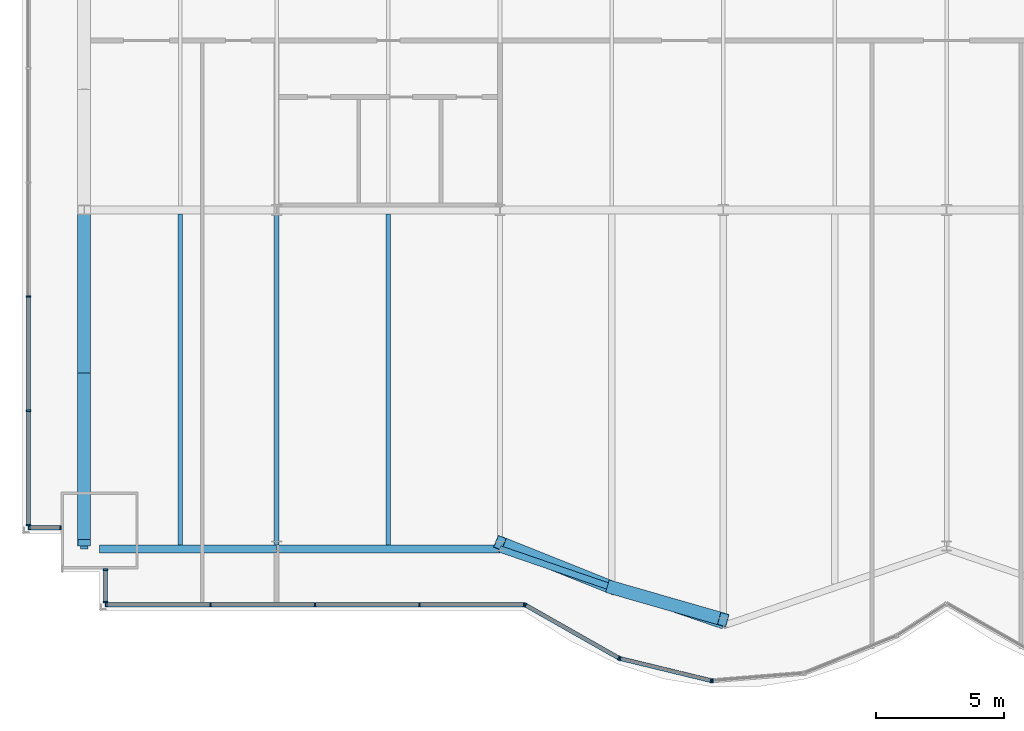
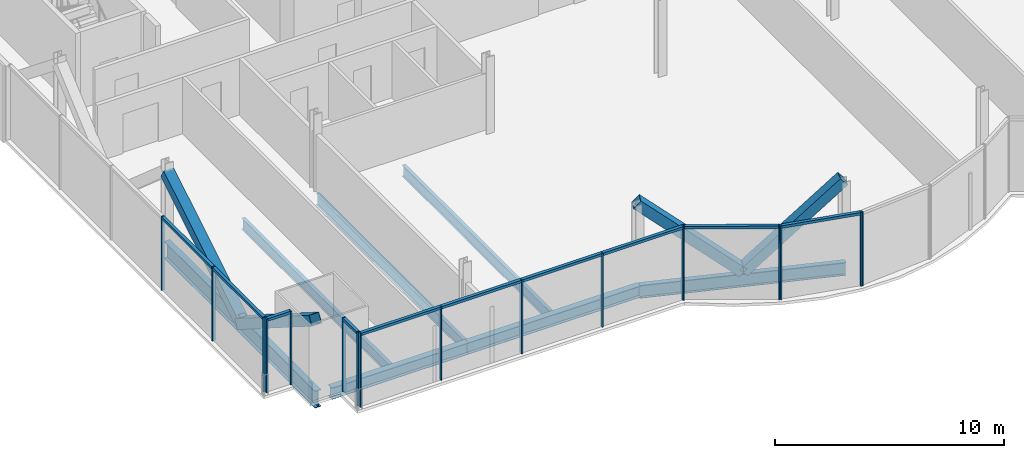
# One storey, part 4 of 21: 31 members, 7 beams, 5 elements without a shape of their own.
"""IFC4 building model written with IfcOpenShell, lengths in metres."""

from ifc_helpers import new_model, si_unit, direction, frame, origin, origin_2d, place, context, subcontext, project, spatial, rectangle, hollow_rectangle, i_section, extrude, material, material_profile, profile_set, type_object, element, aggregate, save


model = new_model("IFC4")

# Units and contexts
model_context = context("Model", 3, precision=1e-05, world=origin(), true_north=direction((0.0, 1.0)))
body_context = subcontext(model_context, "Body", "Model", "MODEL_VIEW")
ifc_project = project(units=[si_unit("LENGTHUNIT", "METRE"), si_unit("AREAUNIT", "SQUARE_METRE"), si_unit("VOLUMEUNIT", "CUBIC_METRE"), si_unit("PLANEANGLEUNIT", "RADIAN"), si_unit("MASSUNIT", "GRAM", prefix="KILO")], contexts=[model_context])

# Site, building, storey
site_placement = place(None, origin())
site = spatial("IfcSite", under=ifc_project, at=site_placement, CompositionType="ELEMENT")
building_placement = place(site_placement, origin())
building = spatial("IfcBuilding", under=site, at=building_placement, Name="Bicima Exchange Tower", CompositionType="ELEMENT")
storey_placement = place(building_placement, frame((0.0, 0.0, 114.5)))
storey = spatial("IfcBuildingStorey", under=building, at=storey_placement, Name="L24", CompositionType="ELEMENT", Elevation=114.5)

# Curtain wall, members
ifc_material_1 = material(Name="Anodised bronze aluminium", Category="aluminium")
curtain_wall_type_1 = type_object("IfcCurtainWallType", Name="End face glass wall", PredefinedType="NOTDEFINED", material=ifc_material_1)
curtain_wall_1_placement = place(storey_placement, origin())
curtain_wall_1 = element("IfcCurtainWall", 1, at=curtain_wall_1_placement, inside=storey, type_object=curtain_wall_type_1, Name="End face glass wall L24 run 2", PredefinedType="NOTDEFINED")
ifc_material_profile_1 = material_profile(ifc_material_1, rectangle(XDim=0.159912109375, YDim=0.06005859375, at=origin_2d()))
ifc_profile_set_1 = profile_set([ifc_material_profile_1], Name="Anodised bronze aluminium")
member_type_1 = type_object("IfcMemberType", Name="End face glass wall mullion 60 x 160", PredefinedType="MULLION", material=ifc_profile_set_1)
member_1_placement = place(storey_placement, frame((-35.77001953125, -25.372802734375, 0.0), z_axis=(0.0, 0.0, 1.0), x_axis=(1.0, 0.0, 0.0)))
member_1 = element("IfcMember", 2, at=member_1_placement, type_object=member_type_1, Name="End face glass wall mullion 4", PredefinedType="MULLION", context=body_context, shape_type="SweptSolid", body=[
    extrude(rectangle(XDim=0.159912109375, YDim=0.06005859375, at=origin_2d()), origin(), (0.0, 0.0, 1.0), 3.949951171875),
])
member_2_placement = place(storey_placement, frame((-35.77001953125, -29.8203125, 0.0), z_axis=(0.0, 0.0, 1.0), x_axis=(1.0, 0.0, 0.0)))
member_2 = element("IfcMember", 3, at=member_2_placement, type_object=member_type_1, Name="End face glass wall mullion 5", PredefinedType="MULLION", context=body_context, shape_type="SweptSolid", body=[
    extrude(rectangle(XDim=0.159912109375, YDim=0.06005859375, at=origin_2d()), origin(), (0.0, 0.0, 1.0), 3.949951171875),
])
member_3_placement = place(storey_placement, frame((-35.77001953125, -34.26806640625, 0.0), z_axis=(0.0, 0.0, 1.0), x_axis=(1.0, 0.0, 0.0)))
member_3 = element("IfcMember", 4, at=member_3_placement, type_object=member_type_1, Name="End face glass wall mullion 6", PredefinedType="MULLION", context=body_context, shape_type="SweptSolid", body=[
    extrude(rectangle(XDim=0.159912109375, YDim=0.06005859375, at=origin_2d()), origin(), (0.0, 0.0, 1.0), 3.949951171875),
])
ifc_material_profile_2 = material_profile(ifc_material_1, rectangle(XDim=0.159912109375, YDim=0.139892578125, at=origin_2d()))
ifc_profile_set_2 = profile_set([ifc_material_profile_2], Name="Anodised bronze aluminium")
member_type_2 = type_object("IfcMemberType", Name="End face glass wall transom 140 x 160", PredefinedType="USERDEFINED", material=ifc_profile_set_2)
member_4_placement = place(storey_placement, frame((-35.77001953125, -25.40283203125, 3.8798828125), z_axis=(0.0, -1.0, 0.0), x_axis=(1.0, 0.0, 0.0)))
member_4 = element("IfcMember", 5, at=member_4_placement, type_object=member_type_2, Name="End face glass wall transom 4.1", ObjectType="TRANSOM", PredefinedType="USERDEFINED", context=body_context, shape_type="SweptSolid", body=[
    extrude(rectangle(XDim=0.159912109375, YDim=0.139892578125, at=origin_2d()), origin(), (0.0, 0.0, 1.0), 4.387451171875),
])
member_5_placement = place(storey_placement, frame((-35.77001953125, -29.850341796875, 3.8798828125), z_axis=(0.0, -1.0, 0.0), x_axis=(1.0, 0.0, 0.0)))
member_5 = element("IfcMember", 6, at=member_5_placement, type_object=member_type_2, Name="End face glass wall transom 5.1", ObjectType="TRANSOM", PredefinedType="USERDEFINED", context=body_context, shape_type="SweptSolid", body=[
    extrude(rectangle(XDim=0.159912109375, YDim=0.139892578125, at=origin_2d()), origin(), (0.0, 0.0, 1.0), 4.3876953125),
])
aggregate(curtain_wall_1, [member_1, member_2, member_3, member_4, member_5])

# Beams
ifc_material_2 = material(Name="Steel ASTM A992 Gr 50", Category="steel")
ifc_material_profile_3 = material_profile(ifc_material_2, i_section(OverallWidth=0.3046875, OverallDepth=0.911865234375, WebThickness=0.015869140625, FlangeThickness=0.02392578125, at=origin_2d()))
ifc_profile_set_3 = profile_set([ifc_material_profile_3], Name="Steel ASTM A992 Gr 50")
beam_type_1 = type_object("IfcBeamType", Name="End girder W36x150", PredefinedType="BEAM", material=ifc_profile_set_3)
beam_1_placement = place(storey_placement, frame((-33.60009765625, -22.0, -0.60595703125), z_axis=(0.0, -1.0, 0.0), x_axis=(1.0, 0.0, 0.0)))
element("IfcBeam", 7, at=beam_1_placement, inside=storey, type_object=beam_type_1, Name="End girder", PredefinedType="BEAM", context=body_context, shape_type="SweptSolid", body=[
    extrude(i_section(OverallWidth=0.3046875, OverallDepth=0.911865234375, WebThickness=0.015869140625, FlangeThickness=0.02392578125, at=origin_2d()), origin(), (0.0, 0.0, 1.0), 13.2080078125),
])
ifc_material_profile_4 = material_profile(ifc_material_2, i_section(OverallWidth=0.177978515625, OverallDepth=0.599365234375, WebThickness=0.010009765625, FlangeThickness=0.012939453125, at=origin_2d()))
ifc_profile_set_4 = profile_set([ifc_material_profile_4], Name="Steel ASTM A992 Gr 50")
beam_type_2 = type_object("IfcBeamType", Name="Floor beam W24x55", PredefinedType="JOIST", material=ifc_profile_set_4)
for number, where, z_axis, x_axis, name in (
    (8, (-29.85009765625, -22.16259765625, -0.44970703125), (0.0, -1.0, 0.0), (1.0, 0.0, 0.0), "Floor beam"),
    (9, (-26.10009765625, -22.16259765625, -0.44970703125), (0.0, -1.0, 0.0), (1.0, 0.0, 0.0), "Floor beam"),
    (10, (-21.75, -22.16259765625, -0.44970703125), (0.0, -1.0, 0.0), (1.0, 0.0, 0.0), "Floor beam"),
):
    element("IfcBeam", number, at=place(storey_placement, frame(where, z_axis=z_axis, x_axis=x_axis)), inside=storey, type_object=beam_type_2, Name=name, PredefinedType="JOIST", context=body_context, shape_type="SweptSolid", body=[
        extrude(i_section(OverallWidth=0.177978515625, OverallDepth=0.599365234375, WebThickness=0.010009765625, FlangeThickness=0.012939453125, at=origin_2d()), origin(), (0.0, 0.0, 1.0), 12.8828125),
    ])
ifc_material_profile_5 = material_profile(ifc_material_2, i_section(OverallWidth=0.3251953125, OverallDepth=0.612060546875, WebThickness=0.0126953125, FlangeThickness=0.01904296875, at=origin_2d()))
ifc_profile_set_5 = profile_set([ifc_material_profile_5], Name="Steel ASTM A992 Gr 50")
beam_type_3 = type_object("IfcBeamType", Name="Front girder W24x104", PredefinedType="BEAM", material=ifc_profile_set_5)
beam_2_placement = place(storey_placement, frame((-33.0, -35.2080078125, -0.4560546875), z_axis=(1.0, 0.0, 0.0), x_axis=(0.0, 1.0, 0.0)))
element("IfcBeam", 11, at=beam_2_placement, inside=storey, type_object=beam_type_3, Name="Front girder", PredefinedType="BEAM", context=body_context, shape_type="SweptSolid", body=[
    extrude(i_section(OverallWidth=0.3251953125, OverallDepth=0.612060546875, WebThickness=0.0126953125, FlangeThickness=0.01904296875, at=origin_2d()), origin(), (0.0, 0.0, 1.0), 6.89990234375),
])
beam_3_placement = place(storey_placement, frame((-26.10009765625, -35.2080078125, -0.4560546875), z_axis=(1.0, 0.0, 0.0), x_axis=(0.0, 1.0, 0.0)))
element("IfcBeam", 12, at=beam_3_placement, inside=storey, type_object=beam_type_3, Name="Front girder", PredefinedType="BEAM", context=body_context, shape_type="SweptSolid", body=[
    extrude(i_section(OverallWidth=0.3251953125, OverallDepth=0.612060546875, WebThickness=0.0126953125, FlangeThickness=0.01904296875, at=origin_2d()), origin(), (0.0, 0.0, 1.0), 8.7001953125),
])
ifc_material_profile_6 = material_profile(ifc_material_2, i_section(OverallWidth=0.256591796875, OverallDepth=0.693359375, WebThickness=0.014404296875, FlangeThickness=0.023681640625, at=origin_2d()))
ifc_profile_set_6 = profile_set([ifc_material_profile_6], Name="Steel ASTM A992 Gr 50")
beam_type_4 = type_object("IfcBeamType", Name="Front girder W27x114", PredefinedType="BEAM", material=ifc_profile_set_6)
beam_4_placement = place(storey_placement, frame((-17.39990234375, -35.2080078125, -0.49658203125), z_axis=(0.945666456746, -0.325138359143, 0.0), x_axis=(0.325138359143, 0.945666456746, 0.0)))
element("IfcBeam", 13, at=beam_4_placement, inside=storey, type_object=beam_type_4, Name="Front girder", PredefinedType="BEAM", context=body_context, shape_type="SweptSolid", body=[
    extrude(i_section(OverallWidth=0.256591796875, OverallDepth=0.693359375, WebThickness=0.014404296875, FlangeThickness=0.023681640625, at=origin_2d()), origin(), (0.0, 0.0, 1.0), 9.19970703125),
])

# Curtain wall, members
curtain_wall_type_2 = type_object("IfcCurtainWallType", Name="Front glass wall", PredefinedType="NOTDEFINED", material=ifc_material_1)
curtain_wall_2_placement = place(storey_placement, origin())
curtain_wall_2 = element("IfcCurtainWall", 14, at=curtain_wall_2_placement, inside=storey, type_object=curtain_wall_type_2, Name="Front glass wall L24 run 3", PredefinedType="NOTDEFINED")
member_type_3 = type_object("IfcMemberType", Name="Front glass wall mullion 60 x 160", PredefinedType="MULLION", material=ifc_profile_set_1)
member_6_placement = place(storey_placement, frame((-35.739990234375, -34.3779296875, 0.0), z_axis=(0.0, 0.0, 1.0), x_axis=(0.0, 1.0, 0.0)))
member_6 = element("IfcMember", 15, at=member_6_placement, type_object=member_type_3, Name="Front glass wall mullion 1", PredefinedType="MULLION", context=body_context, shape_type="SweptSolid", body=[
    extrude(rectangle(XDim=0.159912109375, YDim=0.06005859375, at=origin_2d()), origin(), (0.0, 0.0, 1.0), 3.949951171875),
])
member_7_placement = place(storey_placement, frame((-34.530029296875, -34.3779296875, 0.0), z_axis=(0.0, 0.0, 1.0), x_axis=(0.0, 1.0, 0.0)))
member_7 = element("IfcMember", 16, at=member_7_placement, type_object=member_type_3, Name="Front glass wall mullion 2", PredefinedType="MULLION", context=body_context, shape_type="SweptSolid", body=[
    extrude(rectangle(XDim=0.159912109375, YDim=0.06005859375, at=origin_2d()), origin(), (0.0, 0.0, 1.0), 3.949951171875),
])

curtain_wall_3_placement = place(storey_placement, origin())
curtain_wall_3 = element("IfcCurtainWall", 17, at=curtain_wall_3_placement, inside=storey, type_object=curtain_wall_type_2, Name="Front glass wall L24 run 4", PredefinedType="NOTDEFINED")
member_8_placement = place(storey_placement, frame((-32.77001953125, -36.01611328125, 0.0), z_axis=(0.0, 0.0, 1.0), x_axis=(1.0, 0.0, 0.0)))
member_8 = element("IfcMember", 18, at=member_8_placement, type_object=member_type_3, Name="Front glass wall mullion 1", PredefinedType="MULLION", context=body_context, shape_type="SweptSolid", body=[
    extrude(rectangle(XDim=0.159912109375, YDim=0.06005859375, at=origin_2d()), origin(), (0.0, 0.0, 1.0), 3.949951171875),
])
member_9_placement = place(storey_placement, frame((-32.77001953125, -37.26806640625, 0.0), z_axis=(0.0, 0.0, 1.0), x_axis=(1.0, 0.0, 0.0)))
member_9 = element("IfcMember", 19, at=member_9_placement, type_object=member_type_3, Name="Front glass wall mullion 2", PredefinedType="MULLION", context=body_context, shape_type="SweptSolid", body=[
    extrude(rectangle(XDim=0.159912109375, YDim=0.06005859375, at=origin_2d()), origin(), (0.0, 0.0, 1.0), 3.949951171875),
])

curtain_wall_4_placement = place(storey_placement, origin())
curtain_wall_4 = element("IfcCurtainWall", 20, at=curtain_wall_4_placement, inside=storey, type_object=curtain_wall_type_2, Name="Front glass wall L24 run 5", PredefinedType="NOTDEFINED")
member_10_placement = place(storey_placement, frame((-32.739990234375, -37.3779296875, 0.0), z_axis=(0.0, 0.0, 1.0), x_axis=(0.0, 1.0, 0.0)))
member_10 = element("IfcMember", 21, at=member_10_placement, type_object=member_type_3, Name="Front glass wall mullion 1", PredefinedType="MULLION", context=body_context, shape_type="SweptSolid", body=[
    extrude(rectangle(XDim=0.159912109375, YDim=0.06005859375, at=origin_2d()), origin(), (0.0, 0.0, 1.0), 3.949951171875),
])
member_11_placement = place(storey_placement, frame((-28.67041015625, -37.3779296875, 0.0), z_axis=(0.0, 0.0, 1.0), x_axis=(0.0, 1.0, 0.0)))
member_11 = element("IfcMember", 22, at=member_11_placement, type_object=member_type_3, Name="Front glass wall mullion 2", PredefinedType="MULLION", context=body_context, shape_type="SweptSolid", body=[
    extrude(rectangle(XDim=0.159912109375, YDim=0.06005859375, at=origin_2d()), origin(), (0.0, 0.0, 1.0), 3.949951171875),
])
member_12_placement = place(storey_placement, frame((-24.60107421875, -37.3779296875, 0.0), z_axis=(0.0, 0.0, 1.0), x_axis=(0.0, 1.0, 0.0)))
member_12 = element("IfcMember", 23, at=member_12_placement, type_object=member_type_3, Name="Front glass wall mullion 3", PredefinedType="MULLION", context=body_context, shape_type="SweptSolid", body=[
    extrude(rectangle(XDim=0.159912109375, YDim=0.06005859375, at=origin_2d()), origin(), (0.0, 0.0, 1.0), 3.949951171875),
])
member_13_placement = place(storey_placement, frame((-20.531494140625, -37.3779296875, 0.0), z_axis=(0.0, 0.0, 1.0), x_axis=(0.0, 1.0, 0.0)))
member_13 = element("IfcMember", 24, at=member_13_placement, type_object=member_type_3, Name="Front glass wall mullion 4", PredefinedType="MULLION", context=body_context, shape_type="SweptSolid", body=[
    extrude(rectangle(XDim=0.159912109375, YDim=0.06005859375, at=origin_2d()), origin(), (0.0, 0.0, 1.0), 3.949951171875),
])
member_14_placement = place(storey_placement, frame((-16.462158203125, -37.3779296875, 0.0), z_axis=(0.0, 0.0, 1.0), x_axis=(0.0, 1.0, 0.0)))
member_14 = element("IfcMember", 25, at=member_14_placement, type_object=member_type_3, Name="Front glass wall mullion 5", PredefinedType="MULLION", context=body_context, shape_type="SweptSolid", body=[
    extrude(rectangle(XDim=0.159912109375, YDim=0.06005859375, at=origin_2d()), origin(), (0.0, 0.0, 1.0), 3.949951171875),
])

curtain_wall_5_placement = place(storey_placement, origin())
curtain_wall_5 = element("IfcCurtainWall", 26, at=curtain_wall_5_placement, inside=storey, type_object=curtain_wall_type_2, Name="Front glass wall L24 run 6", PredefinedType="NOTDEFINED")
member_15_placement = place(storey_placement, frame((-16.406005859375, -37.392822265625, 0.0), z_axis=(0.0, 0.0, 1.0), x_axis=(0.493395449343, 0.869805110681, 0.0)))
member_15 = element("IfcMember", 27, at=member_15_placement, type_object=member_type_3, Name="Front glass wall mullion 1", PredefinedType="MULLION", context=body_context, shape_type="SweptSolid", body=[
    extrude(rectangle(XDim=0.159912109375, YDim=0.06005859375, at=origin_2d()), origin(), (0.0, 0.0, 1.0), 3.949951171875),
])
member_16_placement = place(storey_placement, frame((-12.7734375, -39.453369140625, 0.0), z_axis=(0.0, 0.0, 1.0), x_axis=(0.493395449343, 0.869805110681, 0.0)))
member_16 = element("IfcMember", 28, at=member_16_placement, type_object=member_type_3, Name="Front glass wall mullion 2", PredefinedType="MULLION", context=body_context, shape_type="SweptSolid", body=[
    extrude(rectangle(XDim=0.159912109375, YDim=0.06005859375, at=origin_2d()), origin(), (0.0, 0.0, 1.0), 3.949951171875),
])
member_17_placement = place(storey_placement, frame((-12.718017578125, -39.475341796875, 0.0), z_axis=(0.0, 0.0, 1.0), x_axis=(0.235681529503, 0.971830343553, 0.0)))
member_17 = element("IfcMember", 29, at=member_17_placement, type_object=member_type_3, Name="Front glass wall mullion 1", PredefinedType="MULLION", context=body_context, shape_type="SweptSolid", body=[
    extrude(rectangle(XDim=0.159912109375, YDim=0.06005859375, at=origin_2d()), origin(), (0.0, 0.0, 1.0), 3.949951171875),
])
member_18_placement = place(storey_placement, frame((-9.177490234375, -40.333984375, 0.0), z_axis=(0.0, 0.0, 1.0), x_axis=(0.235681529503, 0.971830343553, 0.0)))
member_18 = element("IfcMember", 30, at=member_18_placement, type_object=member_type_3, Name="Front glass wall mullion 2", PredefinedType="MULLION", context=body_context, shape_type="SweptSolid", body=[
    extrude(rectangle(XDim=0.159912109375, YDim=0.06005859375, at=origin_2d()), origin(), (0.0, 0.0, 1.0), 3.949951171875),
])
member_19_placement = place(storey_placement, frame((-9.118408203125, -40.338623046875, 0.0), z_axis=(0.0, 0.0, 1.0), x_axis=(-0.080588612633, 0.99674744821, 0.0)))
member_19 = element("IfcMember", 31, at=member_19_placement, type_object=member_type_3, Name="Front glass wall mullion 1", PredefinedType="MULLION", context=body_context, shape_type="SweptSolid", body=[
    extrude(rectangle(XDim=0.159912109375, YDim=0.06005859375, at=origin_2d()), origin(), (0.0, 0.0, 1.0), 3.949951171875),
])

# Member
member_type_4 = type_object("IfcMemberType", Name="Front glass wall transom 140 x 160", PredefinedType="USERDEFINED", material=ifc_profile_set_2)
member_20_placement = place(storey_placement, frame((-35.7099609375, -34.3779296875, 3.8798828125), z_axis=(1.0, 0.0, 0.0), x_axis=(0.0, 1.0, 0.0)))
member_20 = element("IfcMember", 32, at=member_20_placement, type_object=member_type_4, Name="Front glass wall transom 1.1", ObjectType="TRANSOM", PredefinedType="USERDEFINED", context=body_context, shape_type="SweptSolid", body=[
    extrude(rectangle(XDim=0.159912109375, YDim=0.139892578125, at=origin_2d()), origin(), (0.0, 0.0, 1.0), 1.14990234375),
])

aggregate(curtain_wall_2, [member_6, member_7, member_20])

member_21_placement = place(storey_placement, frame((-32.77001953125, -36.0458984375, 3.8798828125), z_axis=(0.0, -1.0, 0.0), x_axis=(1.0, 0.0, 0.0)))
member_21 = element("IfcMember", 33, at=member_21_placement, type_object=member_type_4, Name="Front glass wall transom 1.1", ObjectType="TRANSOM", PredefinedType="USERDEFINED", context=body_context, shape_type="SweptSolid", body=[
    extrude(rectangle(XDim=0.159912109375, YDim=0.139892578125, at=origin_2d()), origin(), (0.0, 0.0, 1.0), 1.192138671875),
])

aggregate(curtain_wall_3, [member_8, member_9, member_21])

member_22_placement = place(storey_placement, frame((-32.7099609375, -37.3779296875, 3.8798828125), z_axis=(1.0, 0.0, 0.0), x_axis=(0.0, 1.0, 0.0)))
member_22 = element("IfcMember", 34, at=member_22_placement, type_object=member_type_4, Name="Front glass wall transom 1.1", ObjectType="TRANSOM", PredefinedType="USERDEFINED", context=body_context, shape_type="SweptSolid", body=[
    extrude(rectangle(XDim=0.159912109375, YDim=0.139892578125, at=origin_2d()), origin(), (0.0, 0.0, 1.0), 4.009521484375),
])

member_23_placement = place(storey_placement, frame((-28.640380859375, -37.3779296875, 3.8798828125), z_axis=(1.0, 0.0, 0.0), x_axis=(0.0, 1.0, 0.0)))
member_23 = element("IfcMember", 35, at=member_23_placement, type_object=member_type_4, Name="Front glass wall transom 2.1", ObjectType="TRANSOM", PredefinedType="USERDEFINED", context=body_context, shape_type="SweptSolid", body=[
    extrude(rectangle(XDim=0.159912109375, YDim=0.139892578125, at=origin_2d()), origin(), (0.0, 0.0, 1.0), 4.00927734375),
])

member_24_placement = place(storey_placement, frame((-24.571044921875, -37.3779296875, 3.8798828125), z_axis=(1.0, 0.0, 0.0), x_axis=(0.0, 1.0, 0.0)))
member_24 = element("IfcMember", 36, at=member_24_placement, type_object=member_type_4, Name="Front glass wall transom 3.1", ObjectType="TRANSOM", PredefinedType="USERDEFINED", context=body_context, shape_type="SweptSolid", body=[
    extrude(rectangle(XDim=0.159912109375, YDim=0.139892578125, at=origin_2d()), origin(), (0.0, 0.0, 1.0), 4.009521484375),
])

member_25_placement = place(storey_placement, frame((-20.501708984375, -37.3779296875, 3.8798828125), z_axis=(1.0, 0.0, 0.0), x_axis=(0.0, 1.0, 0.0)))
member_25 = element("IfcMember", 37, at=member_25_placement, type_object=member_type_4, Name="Front glass wall transom 4.1", ObjectType="TRANSOM", PredefinedType="USERDEFINED", context=body_context, shape_type="SweptSolid", body=[
    extrude(rectangle(XDim=0.159912109375, YDim=0.139892578125, at=origin_2d()), origin(), (0.0, 0.0, 1.0), 4.009521484375),
])

aggregate(curtain_wall_4, [member_10, member_11, member_12, member_13, member_14, member_22, member_23, member_24, member_25])

member_26_placement = place(storey_placement, frame((-16.3798828125, -37.40771484375, 3.8798828125), z_axis=(0.869797371721, -0.49340909208, 0.0), x_axis=(0.49340909208, 0.869797371721, 0.0)))
member_26 = element("IfcMember", 38, at=member_26_placement, type_object=member_type_4, Name="Front glass wall transom 1.1", ObjectType="TRANSOM", PredefinedType="USERDEFINED", context=body_context, shape_type="SweptSolid", body=[
    extrude(rectangle(XDim=0.159912109375, YDim=0.139892578125, at=origin_2d()), origin(), (0.0, 0.0, 1.0), 4.1162109375),
])

member_27_placement = place(storey_placement, frame((-12.68896484375, -39.482421875, 3.8798828125), z_axis=(0.971833557815, -0.235668275132, 0.0), x_axis=(0.235668275132, 0.971833557815, 0.0)))
member_27 = element("IfcMember", 39, at=member_27_placement, type_object=member_type_4, Name="Front glass wall transom 1.1", ObjectType="TRANSOM", PredefinedType="USERDEFINED", context=body_context, shape_type="SweptSolid", body=[
    extrude(rectangle(XDim=0.159912109375, YDim=0.139892578125, at=origin_2d()), origin(), (0.0, 0.0, 1.0), 3.583251953125),
])

aggregate(curtain_wall_5, [member_15, member_16, member_26, member_17, member_18, member_27, member_19])

# Members
ifc_material_3 = material(Name="Steel ASTM A572 Gr 50", Category="steel")
ifc_material_profile_7 = material_profile(ifc_material_3, hollow_rectangle(XDim=0.508056640625, YDim=0.508056640625, WallThickness=0.0146484375, at=origin_2d()))
ifc_profile_set_7 = profile_set([ifc_material_profile_7], Name="Steel ASTM A572 Gr 50")
member_type_5 = type_object("IfcMemberType", Name="Mega brace HSS20x20x5/8", PredefinedType="BRACE", material=ifc_profile_set_7)
member_28_placement = place(storey_placement, frame((-13.050048828125, -36.70361328125, 0.0), z_axis=(0.712266893938, -0.204909647453, 0.671332933931), x_axis=(0.276473064615, 0.961021667052, 0.0)))
element("IfcMember", 40, at=member_28_placement, inside=storey, type_object=member_type_5, Name="Mega brace front", PredefinedType="BRACE", context=body_context, shape_type="SweptSolid", body=[
    extrude(hollow_rectangle(XDim=0.508056640625, YDim=0.508056640625, WallThickness=0.0146484375, at=origin_2d()), origin(), (0.0, 0.0, 1.0), 6.107421875),
])
member_29_placement = place(storey_placement, frame((-13.050048828125, -36.70361328125, 0.0), z_axis=(-0.69870612412, 0.279411861388, 0.658588463179), x_axis=(-0.371309808925, -0.928509033772, 0.0)))
element("IfcMember", 41, at=member_29_placement, inside=storey, type_object=member_type_5, Name="Mega brace front", PredefinedType="BRACE", context=body_context, shape_type="SweptSolid", body=[
    extrude(hollow_rectangle(XDim=0.508056640625, YDim=0.508056640625, WallThickness=0.0146484375, at=origin_2d()), origin(), (0.0, 0.0, 1.0), 6.2255859375),
])
member_30_placement = place(storey_placement, frame((-33.60009765625, -28.48193359375, -0.60595703125), z_axis=(0.0, -0.845130194489, 0.534560524509), x_axis=(1.0, 0.0, 0.0)))
element("IfcMember", 42, at=member_30_placement, inside=storey, type_object=member_type_5, Name="Mega brace west end", PredefinedType="BRACE", context=body_context, shape_type="SweptSolid", body=[
    extrude(hollow_rectangle(XDim=0.508056640625, YDim=0.508056640625, WallThickness=0.0146484375, at=origin_2d()), origin(), (0.0, 0.0, 1.0), 7.669921875),
])
member_31_placement = place(storey_placement, frame((-33.60009765625, -28.72607421875, -0.60595703125), z_axis=(0.0, 0.853862026104, 0.520499414388), x_axis=(-1.0, 0.0, 0.0)))
element("IfcMember", 43, at=member_31_placement, inside=storey, type_object=member_type_5, Name="Mega brace west end", PredefinedType="BRACE", context=body_context, shape_type="SweptSolid", body=[
    extrude(hollow_rectangle(XDim=0.508056640625, YDim=0.508056640625, WallThickness=0.0146484375, at=origin_2d()), origin(), (0.0, 0.0, 1.0), 7.877197265625),
])

save(model, "model.ifc")
